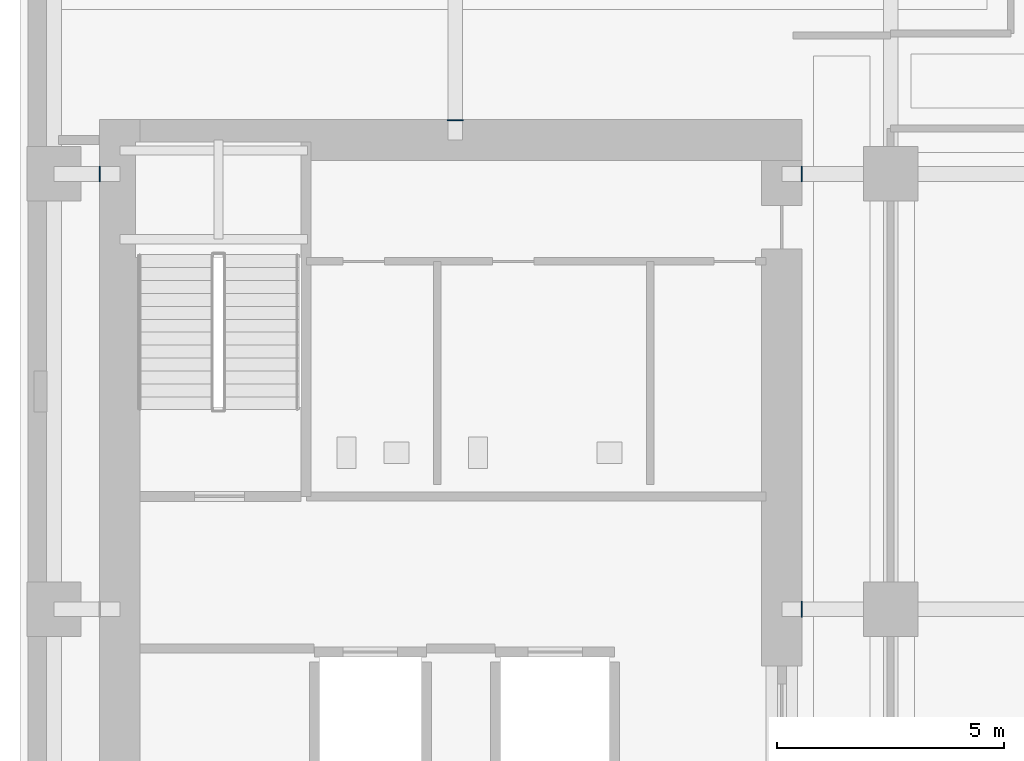
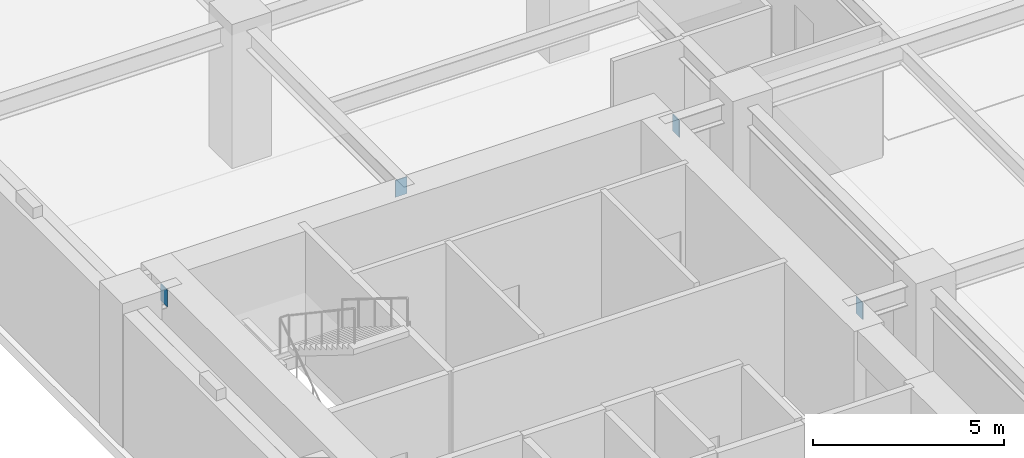
# One storey, part 15 of 24: 4 discrete accessories.
"""IFC4 building model written with IfcOpenShell, lengths in metres."""

from ifc_helpers import new_model, si_unit, direction, frame, origin, origin_2d, place, context, subcontext, project, spatial, rectangle, extrude, material, layer, layer_set, type_object, element, save


model = new_model("IFC4")

# Units and contexts
model_context = context("Model", 3, precision=1e-05, world=origin(), true_north=direction((0.0, 1.0)))
body_context = subcontext(model_context, "Body", "Model", "MODEL_VIEW")
ifc_project = project(units=[si_unit("LENGTHUNIT", "METRE"), si_unit("AREAUNIT", "SQUARE_METRE"), si_unit("VOLUMEUNIT", "CUBIC_METRE"), si_unit("PLANEANGLEUNIT", "RADIAN"), si_unit("MASSUNIT", "GRAM", prefix="KILO")], contexts=[model_context])

# Site, building, storey
site_placement = place(None, origin())
site = spatial("IfcSite", under=ifc_project, at=site_placement, CompositionType="ELEMENT")
building_placement = place(site_placement, origin())
building = spatial("IfcBuilding", under=site, at=building_placement, Name="Norrvale University Quadrangle", CompositionType="ELEMENT")
storey_placement = place(building_placement, frame((0.0, 0.0, 10.39990234375)))
storey = spatial("IfcBuildingStorey", under=building, at=storey_placement, Name="L02", CompositionType="ELEMENT", Elevation=10.39990234375)

# Discrete accessories
ifc_material = material(Name="Steel 350W", Category="steel")
ifc_layer = layer(ifc_material, 0.02490234375, Name="Steel 350W")
ifc_layer_set = layer_set([ifc_layer], Name="Steel 350W")
discrete_accessory_type = type_object("IfcDiscreteAccessoryType", Name="Accessory Cast In Embed Plate", PredefinedType="ANCHORPLATE", material=ifc_layer_set)
for number, where, z_axis, x_axis, name in (
    (1, (17.237548828125, 37.64990234375, 3.68017578125), (0.0, 0.0, 1.0), (1.0, 0.0, 0.0), "Core Wall Cast-in Embed Plate L02-GCE076"),
    (2, (1.762451171875, 47.25, 3.68017578125), (0.0, 0.0, 1.0), (1.0, 0.0, 0.0), "Core Wall Cast-in Embed Plate L02-GCW077"),
    (3, (17.237548828125, 47.25, 3.68017578125), (0.0, 0.0, 1.0), (1.0, 0.0, 0.0), "Core Wall Cast-in Embed Plate L02-GCE078"),
):
    element("IfcDiscreteAccessory", number, at=place(storey_placement, frame(where, z_axis=z_axis, x_axis=x_axis)), inside=storey, type_object=discrete_accessory_type, Name=name, PredefinedType="ANCHORPLATE", context=body_context, shape_type="SweptSolid", body=[
        extrude(rectangle(XDim=0.02490234375, YDim=0.35009765625, at=origin_2d()), origin(), (0.0, 0.0, 1.0), 0.5400390625),
    ])
discrete_accessory_placement = place(storey_placement, frame((9.60009765625, 48.4375, 3.68017578125), z_axis=(0.0, 0.0, 1.0), x_axis=(1.0, 0.0, 0.0)))
element("IfcDiscreteAccessory", 4, at=discrete_accessory_placement, inside=storey, type_object=discrete_accessory_type, Name="Core Wall Cast-in Embed Plate L02-GCN104", PredefinedType="ANCHORPLATE", context=body_context, shape_type="SweptSolid", body=[
    extrude(rectangle(XDim=0.35009765625, YDim=0.02490234375, at=origin_2d()), origin(), (0.0, 0.0, 1.0), 0.5400390625),
])

save(model, "model.ifc")
